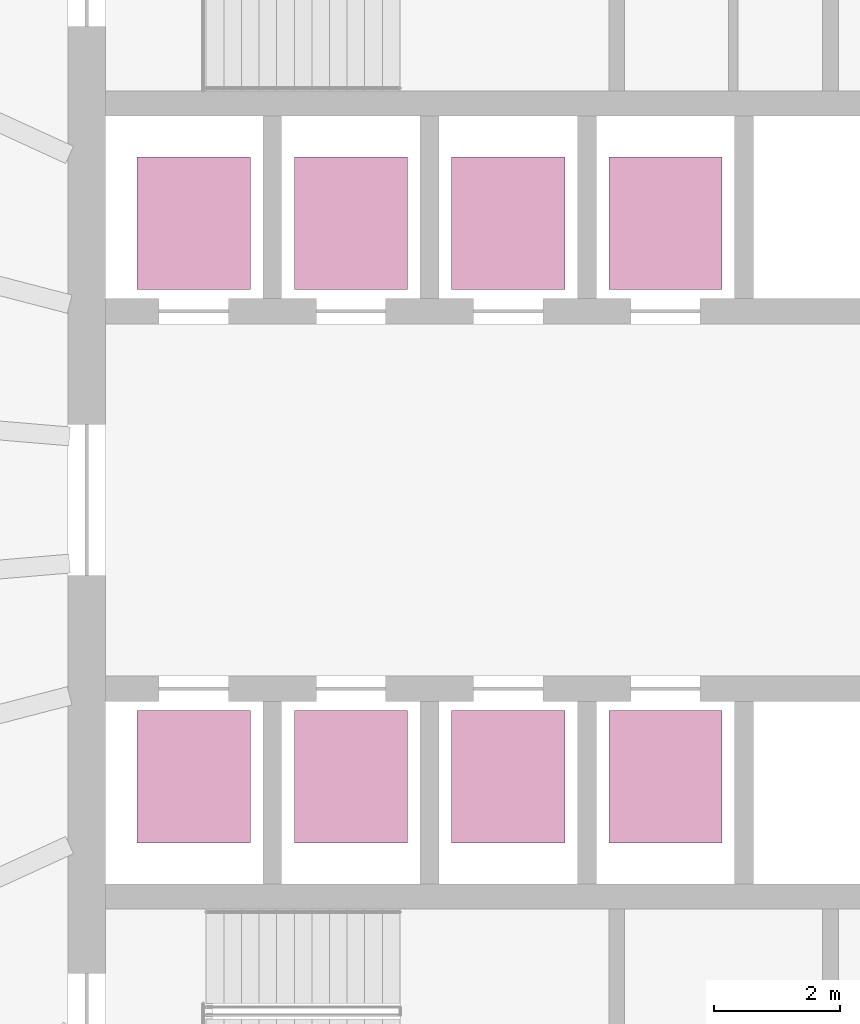
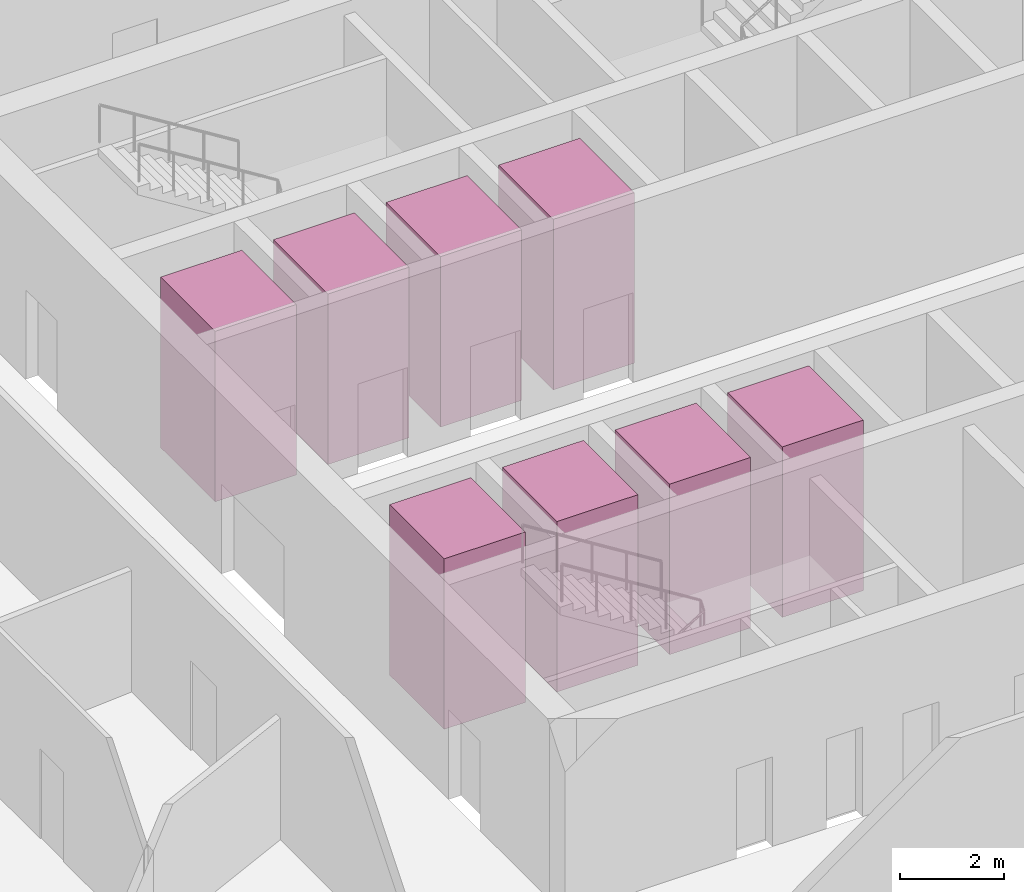
# One storey, part 10 of 10: 8 transport elements.
"""IFC4 building model written with IfcOpenShell, lengths in metres."""

from ifc_helpers import new_model, si_unit, direction, frame, origin, origin_2d, place, context, subcontext, project, spatial, rectangle, extrude, material, type_object, element, save


model = new_model("IFC4")

# Units and contexts
model_context = context("Model", 3, precision=1e-05, world=origin(), true_north=direction((0.0, 1.0)))
body_context = subcontext(model_context, "Body", "Model", "MODEL_VIEW")
ifc_project = project(units=[si_unit("LENGTHUNIT", "METRE"), si_unit("AREAUNIT", "SQUARE_METRE"), si_unit("VOLUMEUNIT", "CUBIC_METRE"), si_unit("PLANEANGLEUNIT", "RADIAN"), si_unit("MASSUNIT", "GRAM", prefix="KILO")], contexts=[model_context])

# Site, building, storey
site_placement = place(None, origin())
site = spatial("IfcSite", under=ifc_project, at=site_placement, CompositionType="ELEMENT")
building_placement = place(site_placement, origin())
building = spatial("IfcBuilding", under=site, at=building_placement, Name="Halqa Exchange Tower", CompositionType="ELEMENT")
storey_placement = place(building_placement, frame((0.0, 0.0, 86.5)))
storey = spatial("IfcBuildingStorey", under=building, at=storey_placement, Name="L19", CompositionType="ELEMENT", Elevation=86.5)

# Transport elements
ifc_material = material(Name="Stainless steel", Category="steel")
transport_element_type = type_object("IfcTransportElementType", Name="Low-rise passenger lift 1800 x 2100", PredefinedType="ELEVATOR", material=ifc_material)
for number, where, z_axis, x_axis, name in (
    (1, (-10.0, 4.39990234375, 0.0), (0.0, 0.0, 1.0), (1.0, 0.0, 0.0), "Low-rise passenger lift LR1"),
    (2, (-7.5, 4.39990234375, 0.0), (0.0, 0.0, 1.0), (1.0, 0.0, 0.0), "Low-rise passenger lift LR2"),
    (3, (-5.0, 4.39990234375, 0.0), (0.0, 0.0, 1.0), (1.0, 0.0, 0.0), "Low-rise passenger lift LR3"),
    (4, (-2.5, 4.39990234375, 0.0), (0.0, 0.0, 1.0), (1.0, 0.0, 0.0), "Low-rise passenger lift LR4"),
    (5, (-10.0, -4.39990234375, 0.0), (0.0, 0.0, 1.0), (1.0, 0.0, 0.0), "Low-rise passenger lift LR5"),
    (6, (-7.5, -4.39990234375, 0.0), (0.0, 0.0, 1.0), (1.0, 0.0, 0.0), "Low-rise passenger lift LR6"),
    (7, (-5.0, -4.39990234375, 0.0), (0.0, 0.0, 1.0), (1.0, 0.0, 0.0), "Low-rise passenger lift LR7"),
    (8, (-2.5, -4.39990234375, 0.0), (0.0, 0.0, 1.0), (1.0, 0.0, 0.0), "Low-rise passenger lift LR8"),
):
    element("IfcTransportElement", number, at=place(storey_placement, frame(where, z_axis=z_axis, x_axis=x_axis)), inside=storey, type_object=transport_element_type, Name=name, PredefinedType="ELEVATOR", context=body_context, shape_type="SweptSolid", body=[
        extrude(rectangle(XDim=1.800048828125, YDim=2.10009765625, at=origin_2d()), origin(), (0.0, 0.0, 1.0), 4.0),
    ])

save(model, "model.ifc")
